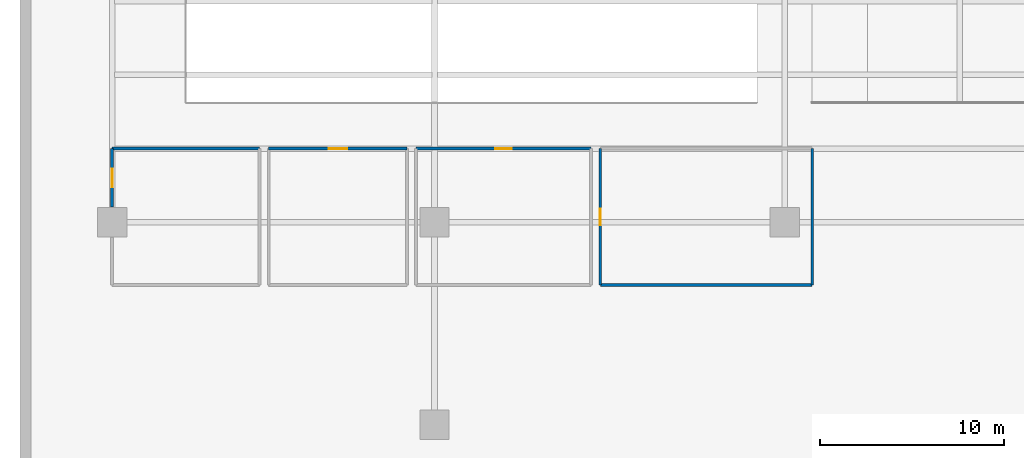
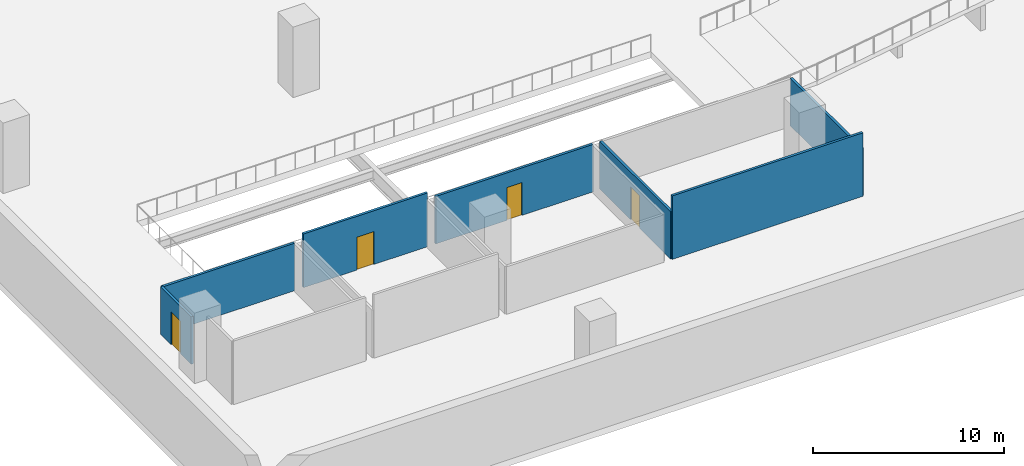
# One storey, part 3 of 11: 7 walls, 4 doors, 4 openings.
"""IFC4 building model written with IfcOpenShell, lengths in metres."""

from ifc_helpers import new_model, si_unit, direction, frame, frame_2d, origin, place, context, subcontext, project, spatial, rectangle, extrude, material, layer, layer_set, type_object, element, fill, save


model = new_model("IFC4")

# Units and contexts
model_context = context("Model", 3, precision=1e-05, world=origin(), true_north=direction((0.0, 1.0)))
body_context = subcontext(model_context, "Body", "Model", "MODEL_VIEW")
ifc_project = project(units=[si_unit("LENGTHUNIT", "METRE"), si_unit("AREAUNIT", "SQUARE_METRE"), si_unit("VOLUMEUNIT", "CUBIC_METRE"), si_unit("PLANEANGLEUNIT", "RADIAN"), si_unit("MASSUNIT", "GRAM", prefix="KILO")], contexts=[model_context])

# Site, building, storey
site_placement = place(None, origin())
site = spatial("IfcSite", under=ifc_project, at=site_placement, CompositionType="ELEMENT")
building_placement = place(site_placement, origin())
building = spatial("IfcBuilding", under=site, at=building_placement, Name="Tel Ilan Convention Tower", CompositionType="ELEMENT")
storey_placement = place(building_placement, frame((0.0, 0.0, -4.5)))
storey = spatial("IfcBuildingStorey", under=building, at=storey_placement, Name="B1", CompositionType="ELEMENT", Elevation=-4.5)

# Wall, opening, door
ifc_material_1 = material(Name="Plasterboard on Steel Studs", Category="steel")
ifc_layer = layer(ifc_material_1, 0.14990234375)
ifc_layer_set = layer_set([ifc_layer], Name="Fire-rated Partition 150 EI 60")
wall_type = type_object("IfcWallType", Name="Fire-rated Partition 150 EI 60", PredefinedType="PARTITIONING", material=ifc_layer_set)
wall_1_placement = place(storey_placement, frame((-46.0009765625, -64.0, 0.0), z_axis=(0.0, 0.0, 1.0), x_axis=(0.0, -1.0, 0.0)))
wall_1 = element("IfcWall", 1, at=wall_1_placement, inside=storey, type_object=wall_type, Name="Partition 010", PredefinedType="PARTITIONING", context=body_context, shape_type="SweptSolid", body=[
    extrude(rectangle(XDim=3.179931640625, YDim=0.14990234375, at=frame_2d((1.58984375, 0.0))), origin(), (0.0, 0.0, 1.0), 3.030029296875),
])
opening_1_placement = place(wall_1_placement, frame((1.090087890625, 0.0, 0.0)))
opening_1 = element("IfcOpeningElement", 2, at=opening_1_placement, cuts=wall_1, Name="Opening B1-003", PredefinedType="OPENING", context=body_context, shape_type="SweptSolid", body=[
    extrude(rectangle(XDim=1.0, YDim=2.10009765625, at=frame_2d((0.5, 1.050048828125))), frame((0.0, 0.0849609375, 0.0), z_axis=(0.0, -1.0, 0.0), x_axis=(1.0, 0.0, 0.0)), (0.0, 0.0, 1.0), 0.169921875),
])
ifc_material_2 = material(Name="Timber Door Leaf in Steel Frame", Category="steel")
door_type_1 = type_object("IfcDoorType", Name="Plant Room Fire Door 1000x2100", OperationType="NOTDEFINED", PredefinedType="DOOR", material=ifc_material_2)
door_1_placement = place(opening_1_placement, origin())
door_1 = element("IfcDoor", 3, at=door_1_placement, inside=storey, type_object=door_type_1, Name="Door B1-003", OperationType="SINGLE_SWING_RIGHT", OverallHeight=2.10009765625, OverallWidth=1.0, PredefinedType="DOOR", context=body_context, shape_type="SweptSolid", body=[
    extrude(rectangle(XDim=1.0, YDim=2.10009765625, at=frame_2d((0.5, 1.050048828125))), frame((0.0, 0.02490234375, 0.0), z_axis=(0.0, -1.0, 0.0), x_axis=(1.0, 0.0, 0.0)), (0.0, 0.0, 1.0), 0.050048828125),
])
fill(opening_1, door_1)

# Wall
wall_2_placement = place(storey_placement, frame((-38.0, -63.9990234375, 0.0), z_axis=(0.0, 0.0, 1.0), x_axis=(-1.0, 0.0, 0.0)))
element("IfcWall", 4, at=wall_2_placement, inside=storey, type_object=wall_type, Name="Partition 014", PredefinedType="PARTITIONING", context=body_context, shape_type="SweptSolid", body=[
    extrude(rectangle(XDim=8.0, YDim=0.14990234375, at=frame_2d((4.0, 0.0))), origin(), (0.0, 0.0, 1.0), 3.030029296875),
])

# Wall, opening, door
wall_3_placement = place(storey_placement, frame((-30.0, -63.9990234375, 0.0), z_axis=(0.0, 0.0, 1.0), x_axis=(-1.0, 0.0, 0.0)))
wall_3 = element("IfcWall", 5, at=wall_3_placement, inside=storey, type_object=wall_type, Name="Partition 015", PredefinedType="PARTITIONING", context=body_context, shape_type="SweptSolid", body=[
    extrude(rectangle(XDim=7.5, YDim=0.14990234375, at=frame_2d((3.75, 0.0))), origin(), (0.0, 0.0, 1.0), 3.429931640625),
])
opening_2_placement = place(wall_3_placement, frame((3.25, 0.0, 0.0)))
opening_2 = element("IfcOpeningElement", 6, at=opening_2_placement, cuts=wall_3, Name="Opening B1-004", PredefinedType="OPENING", context=body_context, shape_type="SweptSolid", body=[
    extrude(rectangle(XDim=1.0, YDim=2.10009765625, at=frame_2d((0.5, 1.050048828125))), frame((0.0, 0.0849609375, 0.0), z_axis=(0.0, -1.0, 0.0), x_axis=(1.0, 0.0, 0.0)), (0.0, 0.0, 1.0), 0.169921875),
])
door_2_placement = place(opening_2_placement, origin())
door_2 = element("IfcDoor", 7, at=door_2_placement, inside=storey, type_object=door_type_1, Name="Door B1-004", OperationType="SINGLE_SWING_LEFT", OverallHeight=2.10009765625, OverallWidth=1.0, PredefinedType="DOOR", context=body_context, shape_type="SweptSolid", body=[
    extrude(rectangle(XDim=1.0, YDim=2.10009765625, at=frame_2d((0.5, 1.050048828125))), frame((0.0, 0.02490234375, 0.0), z_axis=(0.0, -1.0, 0.0), x_axis=(1.0, 0.0, 0.0)), (0.0, 0.0, 1.0), 0.050048828125),
])
fill(opening_2, door_2)

wall_4_placement = place(storey_placement, frame((-20.0, -63.9990234375, 0.0), z_axis=(0.0, 0.0, 1.0), x_axis=(-1.0, 0.0, 0.0)))
wall_4 = element("IfcWall", 8, at=wall_4_placement, inside=storey, type_object=wall_type, Name="Partition 019", PredefinedType="PARTITIONING", context=body_context, shape_type="SweptSolid", body=[
    extrude(rectangle(XDim=9.5, YDim=0.14990234375, at=frame_2d((4.75, 0.0))), origin(), (0.0, 0.0, 1.0), 3.030029296875),
])
opening_3_placement = place(wall_4_placement, frame((4.300048828125, 0.0, 0.0)))
opening_3 = element("IfcOpeningElement", 9, at=opening_3_placement, cuts=wall_4, Name="Opening B1-005", PredefinedType="OPENING", context=body_context, shape_type="SweptSolid", body=[
    extrude(rectangle(XDim=0.89990234375, YDim=2.10009765625, at=frame_2d((0.449951171875, 1.050048828125))), frame((0.0, 0.0849609375, 0.0), z_axis=(0.0, -1.0, 0.0), x_axis=(1.0, 0.0, 0.0)), (0.0, 0.0, 1.0), 0.169921875),
])
ifc_material_3 = material(Name="Timber Door Leaf in Steel Frame", Category="steel")
door_type_2 = type_object("IfcDoorType", Name="Room Fire Door 900x2100", OperationType="NOTDEFINED", PredefinedType="DOOR", material=ifc_material_3)
door_3_placement = place(opening_3_placement, origin())
door_3 = element("IfcDoor", 10, at=door_3_placement, inside=storey, type_object=door_type_2, Name="Door B1-005", OperationType="SINGLE_SWING_LEFT", OverallHeight=2.10009765625, OverallWidth=0.89990234375, PredefinedType="DOOR", context=body_context, shape_type="SweptSolid", body=[
    extrude(rectangle(XDim=0.89990234375, YDim=2.10009765625, at=frame_2d((0.449951171875, 1.050048828125))), frame((0.0, 0.02490234375, 0.0), z_axis=(0.0, -1.0, 0.0), x_axis=(1.0, 0.0, 0.0)), (0.0, 0.0, 1.0), 0.050048828125),
])
fill(opening_3, door_3)

wall_5_placement = place(storey_placement, frame((-19.5009765625, -64.0, 0.0), z_axis=(0.0, 0.0, 1.0), x_axis=(0.0, -1.0, 0.0)))
wall_5 = element("IfcWall", 11, at=wall_5_placement, inside=storey, type_object=wall_type, Name="Partition 023", PredefinedType="PARTITIONING", context=body_context, shape_type="SweptSolid", body=[
    extrude(rectangle(XDim=7.39990234375, YDim=0.14990234375, at=frame_2d((3.699951171875, 0.0))), origin(), (0.0, 0.0, 1.0), 3.030029296875),
])
opening_4_placement = place(wall_5_placement, frame((3.25, 0.0, 0.0)))
opening_4 = element("IfcOpeningElement", 12, at=opening_4_placement, cuts=wall_5, Name="Opening B1-006", PredefinedType="OPENING", context=body_context, shape_type="SweptSolid", body=[
    extrude(rectangle(XDim=0.89990234375, YDim=2.10009765625, at=frame_2d((0.449951171875, 1.050048828125))), frame((0.0, 0.0849609375, 0.0), z_axis=(0.0, -1.0, 0.0), x_axis=(1.0, 0.0, 0.0)), (0.0, 0.0, 1.0), 0.169921875),
])
ifc_material_4 = material(Name="Timber Door Leaf in Steel Frame", Category="steel")
door_type_3 = type_object("IfcDoorType", Name="Riser and Service Fire Door 900x2100", OperationType="NOTDEFINED", PredefinedType="DOOR", material=ifc_material_4)
door_4_placement = place(opening_4_placement, origin())
door_4 = element("IfcDoor", 13, at=door_4_placement, inside=storey, type_object=door_type_3, Name="Door B1-006", OperationType="SINGLE_SWING_LEFT", OverallHeight=2.10009765625, OverallWidth=0.89990234375, PredefinedType="DOOR", context=body_context, shape_type="SweptSolid", body=[
    extrude(rectangle(XDim=0.89990234375, YDim=2.10009765625, at=frame_2d((0.449951171875, 1.050048828125))), frame((0.0, 0.02490234375, 0.0), z_axis=(0.0, -1.0, 0.0), x_axis=(1.0, 0.0, 0.0)), (0.0, 0.0, 1.0), 0.050048828125),
])
fill(opening_4, door_4)

# Walls
wall_6_placement = place(storey_placement, frame((-19.5, -71.40087890625, 0.0), z_axis=(0.0, 0.0, 1.0), x_axis=(1.0, 0.0, 0.0)))
element("IfcWall", 14, at=wall_6_placement, inside=storey, type_object=wall_type, Name="Partition 024", PredefinedType="PARTITIONING", context=body_context, shape_type="SweptSolid", body=[
    extrude(rectangle(XDim=11.5, YDim=0.14990234375, at=frame_2d((5.75, 0.0))), origin(), (0.0, 0.0, 1.0), 4.050048828125),
])
wall_7_placement = place(storey_placement, frame((-7.9990234375, -71.39990234375, 0.0), z_axis=(0.0, 0.0, 1.0), x_axis=(0.0, 1.0, 0.0)))
element("IfcWall", 15, at=wall_7_placement, inside=storey, type_object=wall_type, Name="Partition 025", PredefinedType="PARTITIONING", context=body_context, shape_type="SweptSolid", body=[
    extrude(rectangle(XDim=7.39990234375, YDim=0.14990234375, at=frame_2d((3.699951171875, 0.0))), origin(), (0.0, 0.0, 1.0), 3.030029296875),
])

save(model, "model.ifc")
